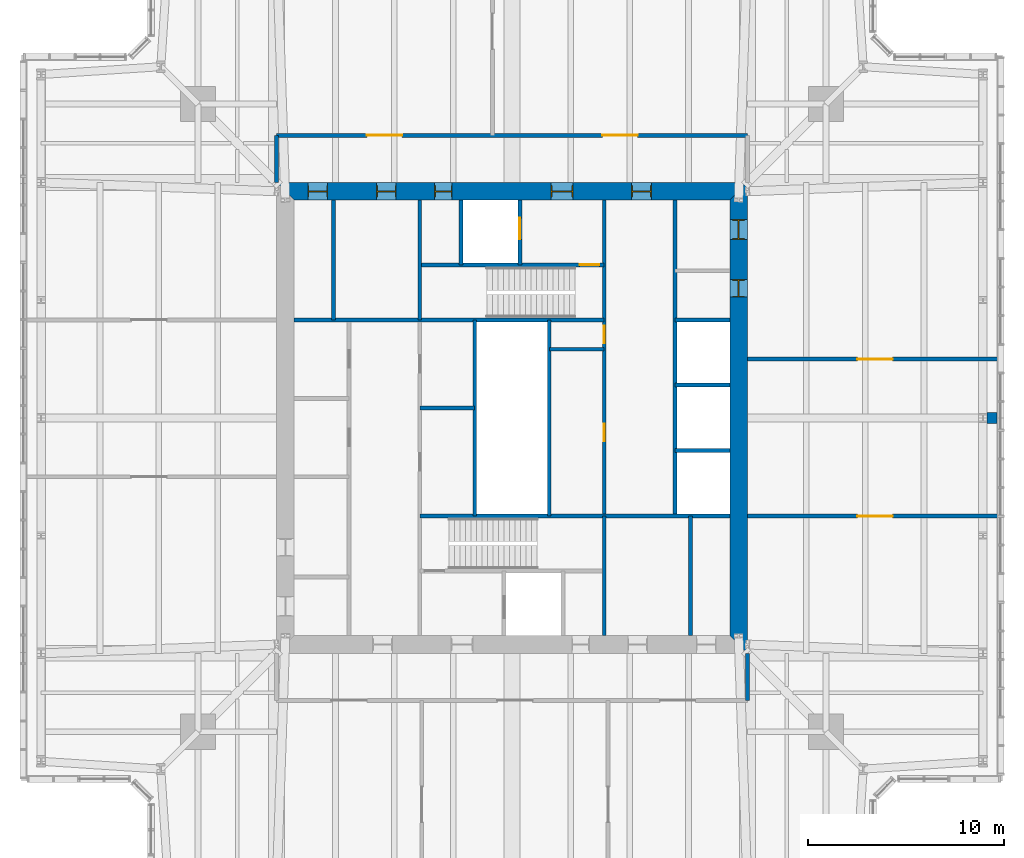
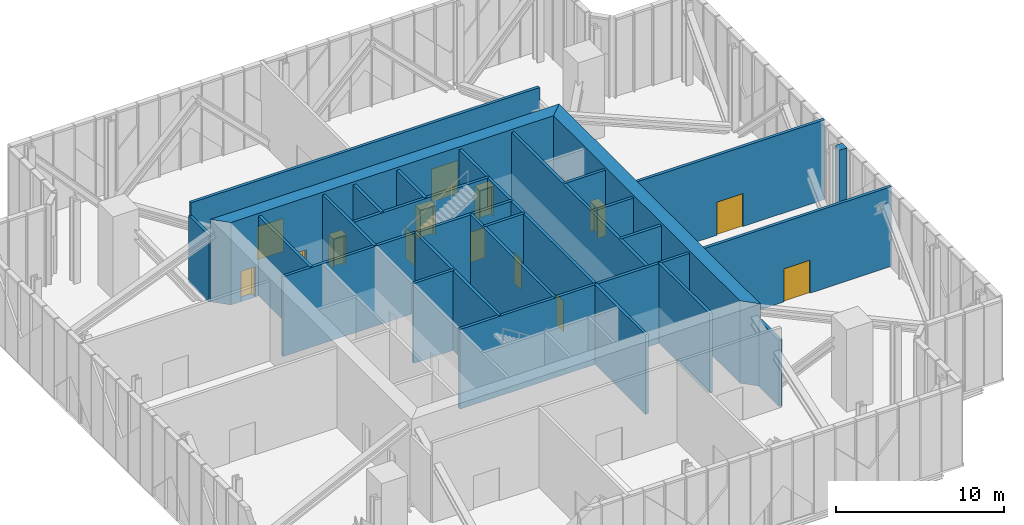
# One storey, part 12 of 18: 26 walls, 15 doors, 15 openings.
"""IFC4 building model written with IfcOpenShell, lengths in metres."""

from ifc_helpers import new_model, si_unit, direction, frame, frame_2d, origin, place, context, subcontext, project, spatial, polyline, rectangle, outline, extrude, material, layer, layer_set, type_object, element, fill, save


model = new_model("IFC4")

# Units and contexts
model_context = context("Model", 3, precision=1e-05, world=origin(), true_north=direction((0.0, 1.0)))
body_context = subcontext(model_context, "Body", "Model", "MODEL_VIEW")
ifc_project = project(units=[si_unit("LENGTHUNIT", "METRE"), si_unit("AREAUNIT", "SQUARE_METRE"), si_unit("VOLUMEUNIT", "CUBIC_METRE"), si_unit("PLANEANGLEUNIT", "RADIAN"), si_unit("MASSUNIT", "GRAM", prefix="KILO")], contexts=[model_context])

# Site, building, storey
site_placement = place(None, origin())
site = spatial("IfcSite", under=ifc_project, at=site_placement, CompositionType="ELEMENT")
building_placement = place(site_placement, origin())
building = spatial("IfcBuilding", under=site, at=building_placement, Name="Fenwick Lantern Interchange", CompositionType="ELEMENT")
storey_placement = place(building_placement, frame((0.0, 0.0, 301.800048828125)))
storey = spatial("IfcBuildingStorey", under=building, at=storey_placement, Name="L73", CompositionType="ELEMENT", Elevation=301.800048828125)

# Walls
ifc_material_1 = material(Name="Fire-rated gypsum board encasement on steel studs, 2 hour", Category="steel")
ifc_layer_1 = layer(ifc_material_1, 0.574951171875)
ifc_layer_set_1 = layer_set([ifc_layer_1], Name="COLUMN PIER 575")
wall_type_1 = type_object("IfcWallType", Name="COLUMN PIER 575", PredefinedType="PARTITIONING", material=ifc_layer_set_1)
wall_1_placement = place(storey_placement, frame((49.72509765625, 25.0, 0.0), z_axis=(0.0, 0.0, 1.0), x_axis=(-1.0, 0.0, 0.0)))
element("IfcWall", 1, at=wall_1_placement, inside=storey, type_object=wall_type_1, Name="L73/W/PIER/CE3", PredefinedType="PARTITIONING", context=body_context, shape_type="SweptSolid", body=[
    extrude(rectangle(XDim=0.512939453125, YDim=0.574951171875, at=frame_2d((0.25634765625, 0.0))), origin(), (0.0, 0.0, 1.0), 5.800048828125),
])
ifc_material_2 = material(Name="Concrete masonry ASTM C90 Grade N", Category="masonry")
ifc_layer_2 = layer(ifc_material_2, 0.199951171875)
ifc_layer_set_2 = layer_set([ifc_layer_2], Name="Concrete masonry ASTM C90 Grade N")
wall_type_2 = type_object("IfcWallType", Name="CORE PARTITION 200", PredefinedType="PARTITIONING", material=ifc_layer_set_2)
wall_2_placement = place(storey_placement, frame((23.10009765625, 20.0, 0.0), z_axis=(0.0, 0.0, 1.0), x_axis=(0.0, 1.0, 0.0)))
element("IfcWall", 2, at=wall_2_placement, inside=storey, type_object=wall_type_2, Name="L73/W/CORES/e3", PredefinedType="PARTITIONING", context=body_context, shape_type="SweptSolid", body=[
    extrude(rectangle(XDim=10.0, YDim=0.199951171875, at=frame_2d((5.0, 0.0))), origin(), (0.0, 0.0, 1.0), 5.800048828125),
])
wall_3_placement = place(storey_placement, frame((34.10009765625, 13.89990234375, 0.0), z_axis=(0.0, 0.0, 1.0), x_axis=(0.0, 1.0, 0.0)))
element("IfcWall", 3, at=wall_3_placement, inside=storey, type_object=wall_type_2, Name="L73/W/CORES/i2", PredefinedType="PARTITIONING", context=body_context, shape_type="SweptSolid", body=[
    extrude(rectangle(XDim=6.10009765625, YDim=0.199951171875, at=frame_2d((3.050048828125, 0.0))), origin(), (0.0, 0.0, 1.0), 5.800048828125),
])
wall_4_placement = place(storey_placement, frame((20.300048828125, 25.5, 0.0), z_axis=(0.0, 0.0, 1.0), x_axis=(1.0, 0.0, 0.0)))
element("IfcWall", 4, at=wall_4_placement, inside=storey, type_object=wall_type_2, Name="L73/W/CORES/q1", PredefinedType="PARTITIONING", context=body_context, shape_type="SweptSolid", body=[
    extrude(rectangle(XDim=2.800048828125, YDim=0.199951171875, at=frame_2d((1.39990234375, 0.0))), origin(), (0.0, 0.0, 1.0), 5.800048828125),
])
wall_5_placement = place(storey_placement, frame((33.300048828125, 36.10009765625, 0.0), z_axis=(0.0, 0.0, 1.0), x_axis=(0.0, -1.0, 0.0)))
element("IfcWall", 5, at=wall_5_placement, inside=storey, type_object=wall_type_2, Name="L73/W/COREN/a", PredefinedType="PARTITIONING", context=body_context, shape_type="SweptSolid", body=[
    extrude(rectangle(XDim=16.10009765625, YDim=0.199951171875, at=frame_2d((8.050048828125, 0.0))), origin(), (0.0, 0.0, 1.0), 5.800048828125),
])
for number, where, z_axis, x_axis, name in (
    (6, (36.10009765625, 30.0, 0.0), (0.0, 0.0, 1.0), (-1.0, 0.0, 0.0), "L73/W/COREN/c2"),
    (7, (36.10009765625, 26.666748046875, 0.0), (0.0, 0.0, 1.0), (-1.0, 0.0, 0.0), "L73/W/COREN/d1"),
    (8, (36.10009765625, 23.333251953125, 0.0), (0.0, 0.0, 1.0), (-1.0, 0.0, 0.0), "L73/W/COREN/d2"),
):
    element("IfcWall", number, at=place(storey_placement, frame(where, z_axis=z_axis, x_axis=x_axis)), inside=storey, type_object=wall_type_2, Name=name, PredefinedType="PARTITIONING", context=body_context, shape_type="SweptSolid", body=[
        extrude(rectangle(XDim=2.800048828125, YDim=0.199951171875, at=frame_2d((1.39990234375, 0.0))), origin(), (0.0, 0.0, 1.0), 5.800048828125),
    ])
wall_6_placement = place(storey_placement, frame((26.89990234375, 30.0, 0.0), z_axis=(0.0, 0.0, 1.0), x_axis=(0.0, -1.0, 0.0)))
element("IfcWall", 9, at=wall_6_placement, inside=storey, type_object=wall_type_2, Name="L73/W/COREN/e3", PredefinedType="PARTITIONING", context=body_context, shape_type="SweptSolid", body=[
    extrude(rectangle(XDim=10.0, YDim=0.199951171875, at=frame_2d((5.0, 0.0))), origin(), (0.0, 0.0, 1.0), 5.800048828125),
])

# Wall, opening, door
wall_7_placement = place(storey_placement, frame((25.39990234375, 36.10009765625, 0.0), z_axis=(0.0, 0.0, 1.0), x_axis=(0.0, -1.0, 0.0)))
wall_7 = element("IfcWall", 10, at=wall_7_placement, inside=storey, type_object=wall_type_2, Name="L73/W/COREN/h1", PredefinedType="PARTITIONING", context=body_context, shape_type="SweptSolid", body=[
    extrude(rectangle(XDim=3.300048828125, YDim=0.199951171875, at=frame_2d((1.64990234375, 0.0))), origin(), (0.0, 0.0, 1.0), 5.800048828125),
])
opening_1_placement = place(wall_7_placement, frame((0.89990234375, 0.0, 0.0)))
opening_1 = element("IfcOpeningElement", 11, at=opening_1_placement, cuts=wall_7, Name="Opening LD-FL2", PredefinedType="OPENING", context=body_context, shape_type="SweptSolid", body=[
    extrude(rectangle(XDim=1.10009765625, YDim=2.199951171875, at=frame_2d((0.550048828125, 1.10009765625))), frame((0.0, 0.10986328125, 0.0), z_axis=(0.0, -1.0, 0.0), x_axis=(1.0, 0.0, 0.0)), (0.0, 0.0, 1.0), 0.219970703125),
])
ifc_material_3 = material(Name="Steel door and frame", Category="steel")
door_type_1 = type_object("IfcDoorType", Name="LIFT LANDING DOOR 1100 X 2200", OperationType="DOUBLE_DOOR_SLIDING", PredefinedType="DOOR", material=ifc_material_3)
door_1_placement = place(opening_1_placement, origin())
door_1 = element("IfcDoor", 12, at=door_1_placement, inside=storey, type_object=door_type_1, Name="Lift landing door FL2", OperationType="DOUBLE_DOOR_SLIDING", OverallHeight=2.199951171875, OverallWidth=1.10009765625, PredefinedType="DOOR", context=body_context, shape_type="SweptSolid", body=[
    extrude(rectangle(XDim=1.10009765625, YDim=2.199951171875, at=frame_2d((0.550048828125, 1.10009765625))), frame((0.0, 0.02490234375, 0.0), z_axis=(0.0, -1.0, 0.0), x_axis=(1.0, 0.0, 0.0)), (0.0, 0.0, 1.0), 0.050048828125),
])
fill(opening_1, door_1)

# Walls
wall_8_placement = place(storey_placement, frame((22.39990234375, 36.10009765625, 0.0), z_axis=(0.0, 0.0, 1.0), x_axis=(0.0, -1.0, 0.0)))
element("IfcWall", 13, at=wall_8_placement, inside=storey, type_object=wall_type_2, Name="L73/W/COREN/h2", PredefinedType="PARTITIONING", context=body_context, shape_type="SweptSolid", body=[
    extrude(rectangle(XDim=3.300048828125, YDim=0.199951171875, at=frame_2d((1.64990234375, 0.0))), origin(), (0.0, 0.0, 1.0), 5.800048828125),
])
wall_9_placement = place(storey_placement, frame((15.89990234375, 36.10009765625, 0.0), z_axis=(0.0, 0.0, 1.0), x_axis=(0.0, -1.0, 0.0)))
element("IfcWall", 14, at=wall_9_placement, inside=storey, type_object=wall_type_2, Name="L73/W/COREN/i2", PredefinedType="PARTITIONING", context=body_context, shape_type="SweptSolid", body=[
    extrude(rectangle(XDim=6.10009765625, YDim=0.199951171875, at=frame_2d((3.050048828125, 0.0))), origin(), (0.0, 0.0, 1.0), 5.800048828125),
])
wall_10_placement = place(storey_placement, frame((29.699951171875, 28.5, 0.0), z_axis=(0.0, 0.0, 1.0), x_axis=(-1.0, 0.0, 0.0)))
element("IfcWall", 15, at=wall_10_placement, inside=storey, type_object=wall_type_2, Name="L73/W/COREN/q1", PredefinedType="PARTITIONING", context=body_context, shape_type="SweptSolid", body=[
    extrude(rectangle(XDim=2.800048828125, YDim=0.199951171875, at=frame_2d((1.39990234375, 0.0))), origin(), (0.0, 0.0, 1.0), 5.800048828125),
])

# Wall, openings, doors
ifc_material_4 = material(Name="Concrete f'c 70 MPa", Category="concrete")
ifc_layer_3 = layer(ifc_material_4, 0.89990234375)
ifc_layer_set_3 = layer_set([ifc_layer_3], Name="CORE WALL 900")
wall_type_3 = type_object("IfcWallType", Name="CORE WALL 900", PredefinedType="SHEAR", material=ifc_layer_set_3)
wall_11_placement = place(storey_placement, frame((36.550048828125, 13.89990234375, 0.0), z_axis=(0.0, 0.0, 1.0), x_axis=(0.0, 1.0, 0.0)))
wall_11 = element("IfcWall", 16, at=wall_11_placement, inside=storey, type_object=wall_type_3, Name="L73/CORE/E", PredefinedType="SHEAR", context=body_context, shape_type="SweptSolid", body=[
    extrude(outline(polyline([(-0.89990234375, -0.449951171875), (23.10009765625, -0.449951171875), (22.199951171875, 0.449951171875), (0.0, 0.449951171875), (-0.89990234375, -0.449951171875)])), origin(), (0.0, 0.0, 1.0), 6.0),
])
opening_2_placement = place(wall_11_placement, frame((20.199951171875, 0.0, 0.0)))
opening_2 = element("IfcOpeningElement", 17, at=opening_2_placement, cuts=wall_11, Name="Opening L73-D019", PredefinedType="OPENING", context=body_context, shape_type="SweptSolid", body=[
    extrude(rectangle(XDim=1.0, YDim=2.199951171875, at=frame_2d((0.5, 1.10009765625))), frame((0.0, 0.4599609375, 0.0), z_axis=(0.0, -1.0, 0.0), x_axis=(1.0, 0.0, 0.0)), (0.0, 0.0, 1.0), 0.919921875),
])
opening_3_placement = place(wall_11_placement, frame((17.25, 0.0, 0.0)))
opening_3 = element("IfcOpeningElement", 18, at=opening_3_placement, cuts=wall_11, Name="Opening L73-D020", PredefinedType="OPENING", context=body_context, shape_type="SweptSolid", body=[
    extrude(rectangle(XDim=0.89990234375, YDim=2.199951171875, at=frame_2d((0.449951171875, 1.10009765625))), frame((0.0, 0.4599609375, 0.0), z_axis=(0.0, -1.0, 0.0), x_axis=(1.0, 0.0, 0.0)), (0.0, 0.0, 1.0), 0.919921875),
])
door_type_2 = type_object("IfcDoorType", Name="SERVICE DOOR 900 X 2200", OperationType="SINGLE_SWING_LEFT", PredefinedType="DOOR", material=ifc_material_3)
door_2_placement = place(opening_3_placement, origin())
door_2 = element("IfcDoor", 19, at=door_2_placement, inside=storey, type_object=door_type_2, Name="Service door", OperationType="SINGLE_SWING_RIGHT", OverallHeight=2.199951171875, OverallWidth=0.89990234375, PredefinedType="DOOR", context=body_context, shape_type="SweptSolid", body=[
    extrude(rectangle(XDim=0.89990234375, YDim=2.199951171875, at=frame_2d((0.449951171875, 1.10009765625))), frame((0.0, 0.02490234375, 0.0), z_axis=(0.0, -1.0, 0.0), x_axis=(1.0, 0.0, 0.0)), (0.0, 0.0, 1.0), 0.050048828125),
    extrude(outline(polyline([(0.0, 0.0), (0.0400390625, 0.0), (0.0400390625, 2.159912109375), (0.85986328125, 2.159912109375), (0.85986328125, 0.0), (0.89990234375, 0.0), (0.89990234375, 2.199951171875), (0.0, 2.199951171875), (0.0, 0.0)])), frame((0.0, 0.300048828125, 0.0), z_axis=(0.0, -1.0, 0.0), x_axis=(1.0, 0.0, 0.0)), (0.0, 0.0, 1.0), 0.60009765625),
])
fill(opening_3, door_2)
ifc_material_5 = material(Name="Hardwood door and steel frame", Category="steel")
door_type_3 = type_object("IfcDoorType", Name="WC DOOR 1000 X 2200", OperationType="SINGLE_SWING_LEFT", PredefinedType="DOOR", material=ifc_material_5)
door_3_placement = place(opening_2_placement, origin())
door_3 = element("IfcDoor", 20, at=door_3_placement, inside=storey, type_object=door_type_3, Name="Wc door", OperationType="SINGLE_SWING_RIGHT", OverallHeight=2.199951171875, OverallWidth=1.0, PredefinedType="DOOR", context=body_context, shape_type="SweptSolid", body=[
    extrude(rectangle(XDim=1.0, YDim=2.199951171875, at=frame_2d((0.5, 1.10009765625))), frame((0.0, 0.02490234375, 0.0), z_axis=(0.0, -1.0, 0.0), x_axis=(1.0, 0.0, 0.0)), (0.0, 0.0, 1.0), 0.050048828125),
    extrude(outline(polyline([(0.0, 0.0), (0.0400390625, 0.0), (0.0400390625, 2.159912109375), (0.9599609375, 2.159912109375), (0.9599609375, 0.0), (1.0, 0.0), (1.0, 2.199951171875), (0.0, 2.199951171875), (0.0, 0.0)])), frame((0.0, 0.300048828125, 0.0), z_axis=(0.0, -1.0, 0.0), x_axis=(1.0, 0.0, 0.0)), (0.0, 0.0, 1.0), 0.60009765625),
])
fill(opening_2, door_3)

wall_12_placement = place(storey_placement, frame((37.0, 36.550048828125, 0.0), z_axis=(0.0, 0.0, 1.0), x_axis=(-1.0, 0.0, 0.0)))
wall_12 = element("IfcWall", 21, at=wall_12_placement, inside=storey, type_object=wall_type_3, Name="L73/CORE/N", PredefinedType="SHEAR", context=body_context, shape_type="SweptSolid", body=[
    extrude(outline(polyline([(0.0, -0.449951171875), (24.0, -0.449951171875), (23.10009765625, 0.449951171875), (0.89990234375, 0.449951171875), (0.0, -0.449951171875)])), origin(), (0.0, 0.0, 1.0), 6.0),
])
opening_4_placement = place(wall_12_placement, frame((4.89990234375, 0.0, 0.0)))
opening_4 = element("IfcOpeningElement", 22, at=opening_4_placement, cuts=wall_12, Name="Opening L73-D013", PredefinedType="OPENING", context=body_context, shape_type="SweptSolid", body=[
    extrude(rectangle(XDim=1.0, YDim=2.199951171875, at=frame_2d((0.5, 1.10009765625))), frame((0.0, 0.4599609375, 0.0), z_axis=(0.0, -1.0, 0.0), x_axis=(1.0, 0.0, 0.0)), (0.0, 0.0, 1.0), 0.919921875),
])
opening_5_placement = place(wall_12_placement, frame((8.89990234375, 0.0, 0.0)))
opening_5 = element("IfcOpeningElement", 23, at=opening_5_placement, cuts=wall_12, Name="Opening L73-D014", PredefinedType="OPENING", context=body_context, shape_type="SweptSolid", body=[
    extrude(rectangle(XDim=1.10009765625, YDim=2.199951171875, at=frame_2d((0.550048828125, 1.10009765625))), frame((0.0, 0.4599609375, 0.0), z_axis=(0.0, -1.0, 0.0), x_axis=(1.0, 0.0, 0.0)), (0.0, 0.0, 1.0), 0.919921875),
])
opening_6_placement = place(wall_12_placement, frame((15.050048828125, 0.0, 0.0)))
opening_6 = element("IfcOpeningElement", 24, at=opening_6_placement, cuts=wall_12, Name="Opening L73-D016", PredefinedType="OPENING", context=body_context, shape_type="SweptSolid", body=[
    extrude(rectangle(XDim=0.89990234375, YDim=2.199951171875, at=frame_2d((0.449951171875, 1.10009765625))), frame((0.0, 0.4599609375, 0.0), z_axis=(0.0, -1.0, 0.0), x_axis=(1.0, 0.0, 0.0)), (0.0, 0.0, 1.0), 0.919921875),
])
opening_7_placement = place(wall_12_placement, frame((17.89990234375, 0.0, 0.0)))
opening_7 = element("IfcOpeningElement", 25, at=opening_7_placement, cuts=wall_12, Name="Opening L73-D017", PredefinedType="OPENING", context=body_context, shape_type="SweptSolid", body=[
    extrude(rectangle(XDim=1.0, YDim=2.199951171875, at=frame_2d((0.5, 1.10009765625))), frame((0.0, 0.4599609375, 0.0), z_axis=(0.0, -1.0, 0.0), x_axis=(1.0, 0.0, 0.0)), (0.0, 0.0, 1.0), 0.919921875),
])
opening_8_placement = place(wall_12_placement, frame((21.39990234375, 0.0, 0.0)))
opening_8 = element("IfcOpeningElement", 26, at=opening_8_placement, cuts=wall_12, Name="Opening L73-D018", PredefinedType="OPENING", context=body_context, shape_type="SweptSolid", body=[
    extrude(rectangle(XDim=1.0, YDim=2.199951171875, at=frame_2d((0.5, 1.10009765625))), frame((0.0, 0.4599609375, 0.0), z_axis=(0.0, -1.0, 0.0), x_axis=(1.0, 0.0, 0.0)), (0.0, 0.0, 1.0), 0.919921875),
])
door_type_4 = type_object("IfcDoorType", Name="CORE LOBBY DOOR 1000 X 2200", OperationType="SINGLE_SWING_LEFT", PredefinedType="DOOR", material=ifc_material_3)
door_4_placement = place(opening_4_placement, origin())
door_4 = element("IfcDoor", 27, at=door_4_placement, inside=storey, type_object=door_type_4, Name="Core lobby door", OperationType="SINGLE_SWING_LEFT", OverallHeight=2.199951171875, OverallWidth=1.0, PredefinedType="DOOR", context=body_context, shape_type="SweptSolid", body=[
    extrude(rectangle(XDim=1.0, YDim=2.199951171875, at=frame_2d((0.5, 1.10009765625))), frame((0.0, 0.02490234375, 0.0), z_axis=(0.0, -1.0, 0.0), x_axis=(1.0, 0.0, 0.0)), (0.0, 0.0, 1.0), 0.050048828125),
    extrude(outline(polyline([(0.0, 0.0), (0.0400390625, 0.0), (0.0400390625, 2.159912109375), (0.9599609375, 2.159912109375), (0.9599609375, 0.0), (1.0, 0.0), (1.0, 2.199951171875), (0.0, 2.199951171875), (0.0, 0.0)])), frame((0.0, 0.300048828125, 0.0), z_axis=(0.0, -1.0, 0.0), x_axis=(1.0, 0.0, 0.0)), (0.0, 0.0, 1.0), 0.60009765625),
])
fill(opening_4, door_4)
door_type_5 = type_object("IfcDoorType", Name="FIRE LOBBY DOOR 1100 X 2200", OperationType="SINGLE_SWING_LEFT", PredefinedType="DOOR", material=ifc_material_3)
door_5_placement = place(opening_5_placement, origin())
door_5 = element("IfcDoor", 28, at=door_5_placement, inside=storey, type_object=door_type_5, Name="Fire lobby door", OperationType="SINGLE_SWING_LEFT", OverallHeight=2.199951171875, OverallWidth=1.10009765625, PredefinedType="DOOR", context=body_context, shape_type="SweptSolid", body=[
    extrude(rectangle(XDim=1.10009765625, YDim=2.199951171875, at=frame_2d((0.550048828125, 1.10009765625))), frame((0.0, 0.02490234375, 0.0), z_axis=(0.0, -1.0, 0.0), x_axis=(1.0, 0.0, 0.0)), (0.0, 0.0, 1.0), 0.050048828125),
    extrude(outline(polyline([(0.0, 0.0), (0.0400390625, 0.0), (0.0400390625, 2.159912109375), (1.06005859375, 2.159912109375), (1.06005859375, 0.0), (1.10009765625, 0.0), (1.10009765625, 2.199951171875), (0.0, 2.199951171875), (0.0, 0.0)])), frame((0.0, 0.300048828125, 0.0), z_axis=(0.0, -1.0, 0.0), x_axis=(1.0, 0.0, 0.0)), (0.0, 0.0, 1.0), 0.60009765625),
])
fill(opening_5, door_5)
door_6_placement = place(opening_6_placement, origin())
door_6 = element("IfcDoor", 29, at=door_6_placement, inside=storey, type_object=door_type_2, Name="Service door", OperationType="SINGLE_SWING_LEFT", OverallHeight=2.199951171875, OverallWidth=0.89990234375, PredefinedType="DOOR", context=body_context, shape_type="SweptSolid", body=[
    extrude(rectangle(XDim=0.89990234375, YDim=2.199951171875, at=frame_2d((0.449951171875, 1.10009765625))), frame((0.0, 0.02490234375, 0.0), z_axis=(0.0, -1.0, 0.0), x_axis=(1.0, 0.0, 0.0)), (0.0, 0.0, 1.0), 0.050048828125),
    extrude(outline(polyline([(0.0, 0.0), (0.0400390625, 0.0), (0.0400390625, 2.159912109375), (0.85986328125, 2.159912109375), (0.85986328125, 0.0), (0.89990234375, 0.0), (0.89990234375, 2.199951171875), (0.0, 2.199951171875), (0.0, 0.0)])), frame((0.0, 0.300048828125, 0.0), z_axis=(0.0, -1.0, 0.0), x_axis=(1.0, 0.0, 0.0)), (0.0, 0.0, 1.0), 0.60009765625),
])
fill(opening_6, door_6)
door_7_placement = place(opening_7_placement, origin())
door_7 = element("IfcDoor", 30, at=door_7_placement, inside=storey, type_object=door_type_3, Name="Wc door", OperationType="SINGLE_SWING_LEFT", OverallHeight=2.199951171875, OverallWidth=1.0, PredefinedType="DOOR", context=body_context, shape_type="SweptSolid", body=[
    extrude(rectangle(XDim=1.0, YDim=2.199951171875, at=frame_2d((0.5, 1.10009765625))), frame((0.0, 0.02490234375, 0.0), z_axis=(0.0, -1.0, 0.0), x_axis=(1.0, 0.0, 0.0)), (0.0, 0.0, 1.0), 0.050048828125),
    extrude(outline(polyline([(0.0, 0.0), (0.0400390625, 0.0), (0.0400390625, 2.159912109375), (0.9599609375, 2.159912109375), (0.9599609375, 0.0), (1.0, 0.0), (1.0, 2.199951171875), (0.0, 2.199951171875), (0.0, 0.0)])), frame((0.0, 0.300048828125, 0.0), z_axis=(0.0, -1.0, 0.0), x_axis=(1.0, 0.0, 0.0)), (0.0, 0.0, 1.0), 0.60009765625),
])
fill(opening_7, door_7)
door_8_placement = place(opening_8_placement, origin())
door_8 = element("IfcDoor", 31, at=door_8_placement, inside=storey, type_object=door_type_3, Name="Wc door", OperationType="SINGLE_SWING_LEFT", OverallHeight=2.199951171875, OverallWidth=1.0, PredefinedType="DOOR", context=body_context, shape_type="SweptSolid", body=[
    extrude(rectangle(XDim=1.0, YDim=2.199951171875, at=frame_2d((0.5, 1.10009765625))), frame((0.0, 0.02490234375, 0.0), z_axis=(0.0, -1.0, 0.0), x_axis=(1.0, 0.0, 0.0)), (0.0, 0.0, 1.0), 0.050048828125),
    extrude(outline(polyline([(0.0, 0.0), (0.0400390625, 0.0), (0.0400390625, 2.159912109375), (0.9599609375, 2.159912109375), (0.9599609375, 0.0), (1.0, 0.0), (1.0, 2.199951171875), (0.0, 2.199951171875), (0.0, 0.0)])), frame((0.0, 0.300048828125, 0.0), z_axis=(0.0, -1.0, 0.0), x_axis=(1.0, 0.0, 0.0)), (0.0, 0.0, 1.0), 0.60009765625),
])
fill(opening_8, door_8)

# Wall
ifc_layer_4 = layer(ifc_material_2, 0.199951171875)
ifc_layer_set_4 = layer_set([ifc_layer_4], Name="Concrete masonry ASTM C90 Grade N")
wall_type_4 = type_object("IfcWallType", Name="PLANT ROOM WALL 200", PredefinedType="PARTITIONING", material=ifc_layer_set_4)
wall_13_placement = place(storey_placement, frame((37.0, 10.60009765625, 0.0), z_axis=(0.0, 0.0, 1.0), x_axis=(0.0, 1.0, 0.0)))
element("IfcWall", 32, at=wall_13_placement, inside=storey, type_object=wall_type_4, Name="L73/W/FLOOR/PCS-B", PredefinedType="PARTITIONING", context=body_context, shape_type="SweptSolid", body=[
    extrude(rectangle(XDim=2.39990234375, YDim=0.199951171875, at=frame_2d((1.199951171875, 0.0))), origin(), (0.0, 0.0, 1.0), 4.8525390625),
])

# Wall, openings, doors
wall_14_placement = place(storey_placement, frame((13.0, 39.39990234375, 0.0), z_axis=(0.0, 0.0, 1.0), x_axis=(1.0, 0.0, 0.0)))
wall_14 = element("IfcWall", 33, at=wall_14_placement, inside=storey, type_object=wall_type_4, Name="L73/W/FLOOR/PCN-W", PredefinedType="PARTITIONING", context=body_context, shape_type="SweptSolid", body=[
    extrude(rectangle(XDim=24.0, YDim=0.199951171875, at=frame_2d((12.0, 0.0))), origin(), (0.0, 0.0, 1.0), 5.800048828125),
])
opening_9_placement = place(wall_14_placement, frame((16.60009765625, 0.0, 0.0)))
opening_9 = element("IfcOpeningElement", 34, at=opening_9_placement, cuts=wall_14, Name="Opening L73-D033", PredefinedType="OPENING", context=body_context, shape_type="SweptSolid", body=[
    extrude(rectangle(XDim=1.800048828125, YDim=2.39990234375, at=frame_2d((0.89990234375, 1.199951171875))), frame((0.0, 0.10986328125, 0.0), z_axis=(0.0, -1.0, 0.0), x_axis=(1.0, 0.0, 0.0)), (0.0, 0.0, 1.0), 0.219970703125),
])
opening_10_placement = place(wall_14_placement, frame((4.60009765625, 0.0, 0.0)))
opening_10 = element("IfcOpeningElement", 35, at=opening_10_placement, cuts=wall_14, Name="Opening L73-D034", PredefinedType="OPENING", context=body_context, shape_type="SweptSolid", body=[
    extrude(rectangle(XDim=1.800048828125, YDim=2.39990234375, at=frame_2d((0.89990234375, 1.199951171875))), frame((0.0, 0.10986328125, 0.0), z_axis=(0.0, -1.0, 0.0), x_axis=(1.0, 0.0, 0.0)), (0.0, 0.0, 1.0), 0.219970703125),
])
door_type_6 = type_object("IfcDoorType", Name="ROOM DOOR PAIR 1800 X 2400", OperationType="DOUBLE_DOOR_SINGLE_SWING", PredefinedType="DOOR", material=ifc_material_3)
door_9_placement = place(opening_9_placement, frame((1.800048828125, 0.0, 0.0), z_axis=(0.0, 0.0, 1.0), x_axis=(-1.0, 0.0, 0.0)))
door_9 = element("IfcDoor", 36, at=door_9_placement, inside=storey, type_object=door_type_6, Name="Room door pair", OperationType="DOUBLE_DOOR_SINGLE_SWING", OverallHeight=2.39990234375, OverallWidth=1.800048828125, PredefinedType="DOOR", context=body_context, shape_type="SweptSolid", body=[
    extrude(rectangle(XDim=1.800048828125, YDim=2.39990234375, at=frame_2d((0.89990234375, 1.199951171875))), frame((0.0, 0.02490234375, 0.0), z_axis=(0.0, -1.0, 0.0), x_axis=(1.0, 0.0, 0.0)), (0.0, 0.0, 1.0), 0.050048828125),
])
fill(opening_9, door_9)
door_10_placement = place(opening_10_placement, frame((1.800048828125, 0.0, 0.0), z_axis=(0.0, 0.0, 1.0), x_axis=(-1.0, 0.0, 0.0)))
door_10 = element("IfcDoor", 37, at=door_10_placement, inside=storey, type_object=door_type_6, Name="Room door pair", OperationType="DOUBLE_DOOR_SINGLE_SWING", OverallHeight=2.39990234375, OverallWidth=1.800048828125, PredefinedType="DOOR", context=body_context, shape_type="SweptSolid", body=[
    extrude(rectangle(XDim=1.800048828125, YDim=2.39990234375, at=frame_2d((0.89990234375, 1.199951171875))), frame((0.0, 0.02490234375, 0.0), z_axis=(0.0, -1.0, 0.0), x_axis=(1.0, 0.0, 0.0)), (0.0, 0.0, 1.0), 0.050048828125),
])
fill(opening_10, door_10)

# Wall
wall_15_placement = place(storey_placement, frame((13.0, 37.0, 0.0), z_axis=(0.0, 0.0, 1.0), x_axis=(0.0, 1.0, 0.0)))
element("IfcWall", 38, at=wall_15_placement, inside=storey, type_object=wall_type_4, Name="L73/W/FLOOR/PCN-A", PredefinedType="PARTITIONING", context=body_context, shape_type="SweptSolid", body=[
    extrude(rectangle(XDim=2.39990234375, YDim=0.199951171875, at=frame_2d((1.199951171875, 0.0))), origin(), (0.0, 0.0, 1.0), 4.8525390625),
])

# Wall, opening, door
wall_16_placement = place(storey_placement, frame((37.0, 20.0, 0.0), z_axis=(0.0, 0.0, 1.0), x_axis=(1.0, 0.0, 0.0)))
wall_16 = element("IfcWall", 39, at=wall_16_placement, inside=storey, type_object=wall_type_4, Name="L73/W/FLOOR/PW3", PredefinedType="PARTITIONING", context=body_context, shape_type="SweptSolid", body=[
    extrude(rectangle(XDim=13.0, YDim=0.199951171875, at=frame_2d((6.5, 0.0))), origin(), (0.0, 0.0, 1.0), 5.800048828125),
])
opening_11_placement = place(wall_16_placement, frame((5.60009765625, 0.0, 0.0)))
opening_11 = element("IfcOpeningElement", 40, at=opening_11_placement, cuts=wall_16, Name="Opening L73-D025", PredefinedType="OPENING", context=body_context, shape_type="SweptSolid", body=[
    extrude(rectangle(XDim=1.800048828125, YDim=2.39990234375, at=frame_2d((0.89990234375, 1.199951171875))), frame((0.0, 0.10986328125, 0.0), z_axis=(0.0, -1.0, 0.0), x_axis=(1.0, 0.0, 0.0)), (0.0, 0.0, 1.0), 0.219970703125),
])
door_11_placement = place(opening_11_placement, origin())
door_11 = element("IfcDoor", 41, at=door_11_placement, inside=storey, type_object=door_type_6, Name="Room door pair", OperationType="DOUBLE_DOOR_SINGLE_SWING", OverallHeight=2.39990234375, OverallWidth=1.800048828125, PredefinedType="DOOR", context=body_context, shape_type="SweptSolid", body=[
    extrude(rectangle(XDim=1.800048828125, YDim=2.39990234375, at=frame_2d((0.89990234375, 1.199951171875))), frame((0.0, 0.02490234375, 0.0), z_axis=(0.0, -1.0, 0.0), x_axis=(1.0, 0.0, 0.0)), (0.0, 0.0, 1.0), 0.050048828125),
])
fill(opening_11, door_11)

wall_17_placement = place(storey_placement, frame((37.0, 28.0, 0.0), z_axis=(0.0, 0.0, 1.0), x_axis=(1.0, 0.0, 0.0)))
wall_17 = element("IfcWall", 42, at=wall_17_placement, inside=storey, type_object=wall_type_4, Name="L73/W/FLOOR/PW4", PredefinedType="PARTITIONING", context=body_context, shape_type="SweptSolid", body=[
    extrude(rectangle(XDim=13.0, YDim=0.199951171875, at=frame_2d((6.5, 0.0))), origin(), (0.0, 0.0, 1.0), 5.800048828125),
])
opening_12_placement = place(wall_17_placement, frame((5.60009765625, 0.0, 0.0)))
opening_12 = element("IfcOpeningElement", 43, at=opening_12_placement, cuts=wall_17, Name="Opening L73-D026", PredefinedType="OPENING", context=body_context, shape_type="SweptSolid", body=[
    extrude(rectangle(XDim=1.800048828125, YDim=2.39990234375, at=frame_2d((0.89990234375, 1.199951171875))), frame((0.0, 0.10986328125, 0.0), z_axis=(0.0, -1.0, 0.0), x_axis=(1.0, 0.0, 0.0)), (0.0, 0.0, 1.0), 0.219970703125),
])
door_12_placement = place(opening_12_placement, frame((1.800048828125, 0.0, 0.0), z_axis=(0.0, 0.0, 1.0), x_axis=(-1.0, 0.0, 0.0)))
door_12 = element("IfcDoor", 44, at=door_12_placement, inside=storey, type_object=door_type_6, Name="Room door pair", OperationType="DOUBLE_DOOR_SINGLE_SWING", OverallHeight=2.39990234375, OverallWidth=1.800048828125, PredefinedType="DOOR", context=body_context, shape_type="SweptSolid", body=[
    extrude(rectangle(XDim=1.800048828125, YDim=2.39990234375, at=frame_2d((0.89990234375, 1.199951171875))), frame((0.0, 0.02490234375, 0.0), z_axis=(0.0, -1.0, 0.0), x_axis=(1.0, 0.0, 0.0)), (0.0, 0.0, 1.0), 0.050048828125),
])
fill(opening_12, door_12)

# Walls
ifc_material_6 = material(Name="Concrete f'c 45 MPa", Category="concrete")
ifc_layer_5 = layer(ifc_material_6, 0.199951171875)
ifc_layer_set_5 = layer_set([ifc_layer_5], Name="STAIR CORE WALL 200")
wall_type_5 = type_object("IfcWallType", Name="STAIR CORE WALL 200", PredefinedType="SOLIDWALL", material=ifc_layer_set_5)
wall_18_placement = place(storey_placement, frame((20.300048828125, 20.0, 0.0), z_axis=(0.0, 0.0, 1.0), x_axis=(1.0, 0.0, 0.0)))
element("IfcWall", 45, at=wall_18_placement, inside=storey, type_object=wall_type_5, Name="L73/W/CORES/g2", PredefinedType="SOLIDWALL", context=body_context, shape_type="SweptSolid", body=[
    extrude(rectangle(XDim=15.800048828125, YDim=0.199951171875, at=frame_2d((7.89990234375, 0.0))), origin(), (0.0, 0.0, 1.0), 5.800048828125),
])
wall_19_placement = place(storey_placement, frame((29.699951171875, 13.89990234375, 0.0), z_axis=(0.0, 0.0, 1.0), x_axis=(0.0, 1.0, 0.0)))
element("IfcWall", 46, at=wall_19_placement, inside=storey, type_object=wall_type_5, Name="L73/W/CORES/i1", PredefinedType="SOLIDWALL", context=body_context, shape_type="SweptSolid", body=[
    extrude(rectangle(XDim=6.10009765625, YDim=0.199951171875, at=frame_2d((3.050048828125, 0.0))), origin(), (0.0, 0.0, 1.0), 5.800048828125),
])

# Wall, openings, doors
wall_20_placement = place(storey_placement, frame((29.699951171875, 36.10009765625, 0.0), z_axis=(0.0, 0.0, 1.0), x_axis=(0.0, -1.0, 0.0)))
wall_20 = element("IfcWall", 47, at=wall_20_placement, inside=storey, type_object=wall_type_5, Name="L73/W/COREN/b", PredefinedType="SOLIDWALL", context=body_context, shape_type="SweptSolid", body=[
    extrude(rectangle(XDim=16.10009765625, YDim=0.199951171875, at=frame_2d((8.050048828125, 0.0))), origin(), (0.0, 0.0, 1.0), 5.800048828125),
])
opening_13_placement = place(wall_20_placement, frame((6.39990234375, 0.0, 0.0)))
opening_13 = element("IfcOpeningElement", 48, at=opening_13_placement, cuts=wall_20, Name="Opening L73-D021", PredefinedType="OPENING", context=body_context, shape_type="SweptSolid", body=[
    extrude(rectangle(XDim=0.89990234375, YDim=2.199951171875, at=frame_2d((0.449951171875, 1.10009765625))), frame((0.0, 0.10986328125, 0.0), z_axis=(0.0, -1.0, 0.0), x_axis=(1.0, 0.0, 0.0)), (0.0, 0.0, 1.0), 0.219970703125),
])
opening_14_placement = place(wall_20_placement, frame((11.39990234375, 0.0, 0.0)))
opening_14 = element("IfcOpeningElement", 49, at=opening_14_placement, cuts=wall_20, Name="Opening L73-D022", PredefinedType="OPENING", context=body_context, shape_type="SweptSolid", body=[
    extrude(rectangle(XDim=0.89990234375, YDim=2.199951171875, at=frame_2d((0.449951171875, 1.10009765625))), frame((0.0, 0.10986328125, 0.0), z_axis=(0.0, -1.0, 0.0), x_axis=(1.0, 0.0, 0.0)), (0.0, 0.0, 1.0), 0.219970703125),
])
door_13_placement = place(opening_13_placement, frame((0.89990234375, 0.0, 0.0), z_axis=(0.0, 0.0, 1.0), x_axis=(-1.0, 0.0, 0.0)))
door_13 = element("IfcDoor", 50, at=door_13_placement, inside=storey, type_object=door_type_2, Name="Service door", OperationType="SINGLE_SWING_RIGHT", OverallHeight=2.199951171875, OverallWidth=0.89990234375, PredefinedType="DOOR", context=body_context, shape_type="SweptSolid", body=[
    extrude(rectangle(XDim=0.89990234375, YDim=2.199951171875, at=frame_2d((0.449951171875, 1.10009765625))), frame((0.0, 0.02490234375, 0.0), z_axis=(0.0, -1.0, 0.0), x_axis=(1.0, 0.0, 0.0)), (0.0, 0.0, 1.0), 0.050048828125),
])
fill(opening_13, door_13)
door_14_placement = place(opening_14_placement, frame((0.89990234375, 0.0, 0.0), z_axis=(0.0, 0.0, 1.0), x_axis=(-1.0, 0.0, 0.0)))
door_14 = element("IfcDoor", 51, at=door_14_placement, inside=storey, type_object=door_type_2, Name="Service door", OperationType="SINGLE_SWING_RIGHT", OverallHeight=2.199951171875, OverallWidth=0.89990234375, PredefinedType="DOOR", context=body_context, shape_type="SweptSolid", body=[
    extrude(rectangle(XDim=0.89990234375, YDim=2.199951171875, at=frame_2d((0.449951171875, 1.10009765625))), frame((0.0, 0.02490234375, 0.0), z_axis=(0.0, -1.0, 0.0), x_axis=(1.0, 0.0, 0.0)), (0.0, 0.0, 1.0), 0.050048828125),
])
fill(opening_14, door_14)

# Wall, opening, door
wall_21_placement = place(storey_placement, frame((29.699951171875, 32.800048828125, 0.0), z_axis=(0.0, 0.0, 1.0), x_axis=(-1.0, 0.0, 0.0)))
wall_21 = element("IfcWall", 52, at=wall_21_placement, inside=storey, type_object=wall_type_5, Name="L73/W/COREN/g1", PredefinedType="SOLIDWALL", context=body_context, shape_type="SweptSolid", body=[
    extrude(rectangle(XDim=9.39990234375, YDim=0.199951171875, at=frame_2d((4.699951171875, 0.0))), origin(), (0.0, 0.0, 1.0), 5.800048828125),
])
opening_15_placement = place(wall_21_placement, frame((0.25, 0.0, 0.0)))
opening_15 = element("IfcOpeningElement", 53, at=opening_15_placement, cuts=wall_21, Name="Opening L73-D015", PredefinedType="OPENING", context=body_context, shape_type="SweptSolid", body=[
    extrude(rectangle(XDim=1.0, YDim=2.199951171875, at=frame_2d((0.5, 1.10009765625))), frame((0.0, 0.10986328125, 0.0), z_axis=(0.0, -1.0, 0.0), x_axis=(1.0, 0.0, 0.0)), (0.0, 0.0, 1.0), 0.219970703125),
])
door_type_7 = type_object("IfcDoorType", Name="STAIR DOOR 1000 X 2200", OperationType="SINGLE_SWING_LEFT", PredefinedType="DOOR", material=ifc_material_3)
door_15_placement = place(opening_15_placement, origin())
door_15 = element("IfcDoor", 54, at=door_15_placement, inside=storey, type_object=door_type_7, Name="Stair door", OperationType="SINGLE_SWING_LEFT", OverallHeight=2.199951171875, OverallWidth=1.0, PredefinedType="DOOR", context=body_context, shape_type="SweptSolid", body=[
    extrude(rectangle(XDim=1.0, YDim=2.199951171875, at=frame_2d((0.5, 1.10009765625))), frame((0.0, 0.02490234375, 0.0), z_axis=(0.0, -1.0, 0.0), x_axis=(1.0, 0.0, 0.0)), (0.0, 0.0, 1.0), 0.050048828125),
])
fill(opening_15, door_15)

# Walls
wall_22_placement = place(storey_placement, frame((29.699951171875, 30.0, 0.0), z_axis=(0.0, 0.0, 1.0), x_axis=(-1.0, 0.0, 0.0)))
element("IfcWall", 55, at=wall_22_placement, inside=storey, type_object=wall_type_5, Name="L73/W/COREN/g2", PredefinedType="SOLIDWALL", context=body_context, shape_type="SweptSolid", body=[
    extrude(rectangle(XDim=15.800048828125, YDim=0.199951171875, at=frame_2d((7.89990234375, 0.0))), origin(), (0.0, 0.0, 1.0), 5.800048828125),
])
wall_23_placement = place(storey_placement, frame((20.300048828125, 36.10009765625, 0.0), z_axis=(0.0, 0.0, 1.0), x_axis=(0.0, -1.0, 0.0)))
element("IfcWall", 56, at=wall_23_placement, inside=storey, type_object=wall_type_5, Name="L73/W/COREN/i1", PredefinedType="SOLIDWALL", context=body_context, shape_type="SweptSolid", body=[
    extrude(rectangle(XDim=6.10009765625, YDim=0.199951171875, at=frame_2d((3.050048828125, 0.0))), origin(), (0.0, 0.0, 1.0), 5.800048828125),
])

save(model, "model.ifc")
